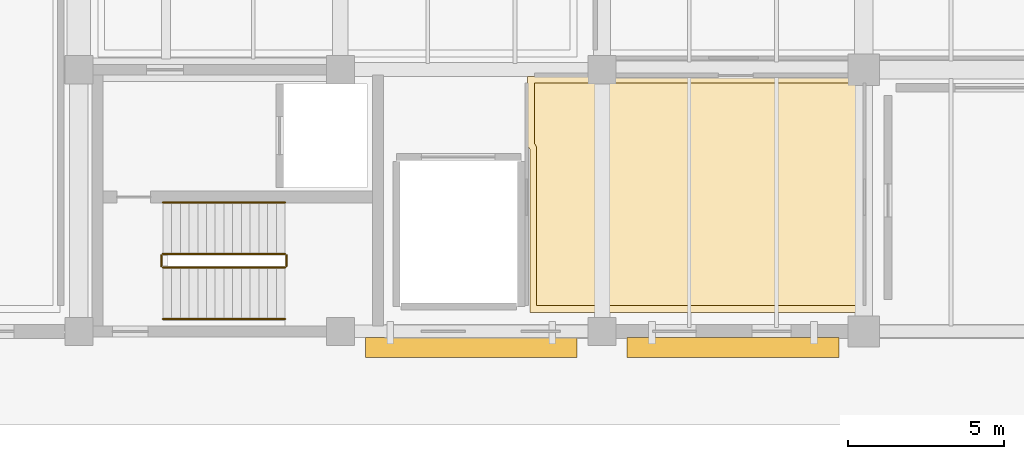
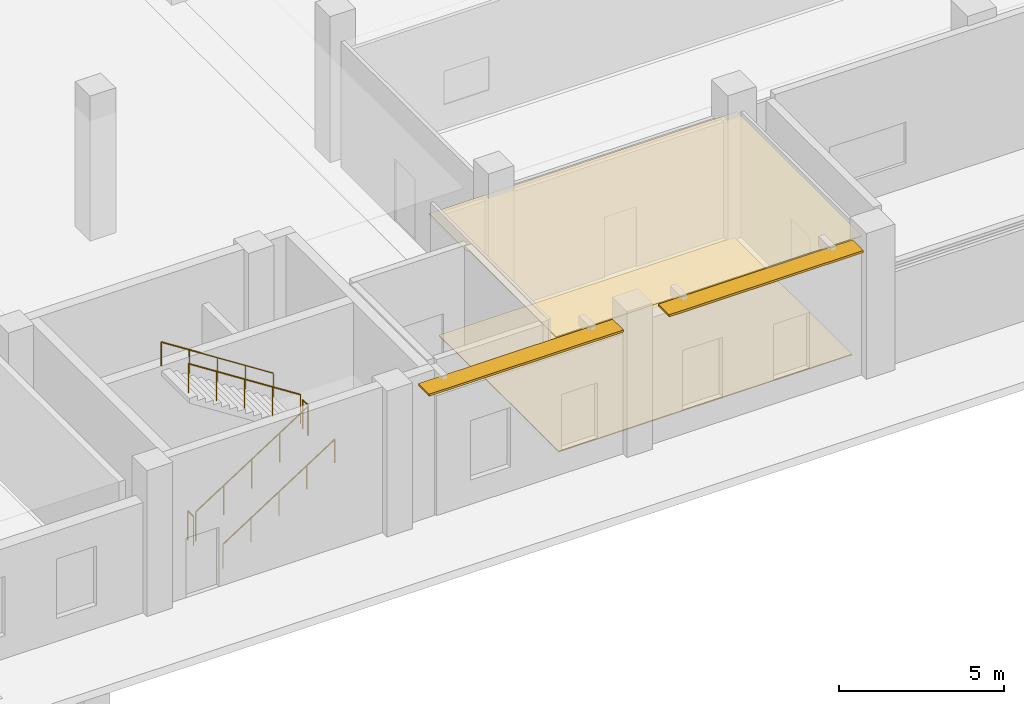
# One storey, part 61 of 65: 6 railings, 2 coverings, 2 shading devices.
"""IFC4 building model written with IfcOpenShell, lengths in metres."""

import ifcopenshell
import ifcopenshell.guid

model = None  # the IFC model being written
_history = None  # IfcOwnerHistory: only IFC2X3 demands one
_inside = {}  # id of a spatial element -> (the spatial element, [elements in it])
_under = {}  # id of a project, library or spatial element -> (it, [spatial elements below it])
_declared = {}  # id of a project -> (the project, [libraries it declares])
_typed = {}  # id of a type object -> (the type object, [elements of that type])
_made_of = {}  # id of a material, layer set ... -> (it, [elements and type objects made of it])


def new_model(schema):
    """Start an empty IFC model of exactly this schema.

    Asked for "IFC4X3", IfcOpenShell would pick the latest addendum, in which some entities
    have other attributes; the version numbers below select the first issue.
    IFC2X3 requires an IfcOwnerHistory on every rooted entity: one is made here for all.
    """
    global model, _history
    if schema == "IFC4X3":
        model = ifcopenshell.file(schema_version=(4, 3, 0, 0))
    else:
        model = ifcopenshell.file(schema=schema)
    _inside.clear()
    _under.clear()
    _declared.clear()
    _typed.clear()
    _made_of.clear()
    _history = None
    if model.schema == "IFC2X3":
        org = make("IfcOrganization", Name="unknown")
        user = make(
            "IfcPersonAndOrganization",
            ThePerson=make("IfcPerson", FamilyName="unknown"),
            TheOrganization=org,
        )
        app = make(
            "IfcApplication",
            ApplicationDeveloper=org,
            Version="unknown",
            ApplicationFullName="unknown",
            ApplicationIdentifier="unknown",
        )
        _history = make(
            "IfcOwnerHistory",
            OwningUser=user,
            OwningApplication=app,
            ChangeAction="ADDED",
            CreationDate=0,
        )
    return model


def make(cls, **values):
    """One entity of the class cls with the attributes given. An attribute that is None is left unset."""
    return model.create_entity(
        cls, **{name: value for name, value in values.items() if value is not None}
    )


def rooted(cls, **values):
    """An entity with a GlobalId (a new one), such as an element, a storey or a relation."""
    return make(cls, GlobalId=ifcopenshell.guid.new(), OwnerHistory=_history, **values)


def si_unit(unit_type, name, prefix=None):
    """IfcSIUnit, for example si_unit("LENGTHUNIT", "METRE", prefix="MILLI")."""
    return make("IfcSIUnit", UnitType=unit_type, Prefix=prefix, Name=name)


def assignment(units):
    """IfcUnitAssignment: the units of a project."""
    return None if units is None else make("IfcUnitAssignment", Units=units)


def point(xyz):
    """IfcCartesianPoint."""
    return None if xyz is None else make("IfcCartesianPoint", Coordinates=xyz)


def direction(xyz):
    """IfcDirection."""
    return None if xyz is None else make("IfcDirection", DirectionRatios=xyz)


def frame(location, z_axis=None, x_axis=None):
    """IfcAxis2Placement3D, a coordinate frame: its origin and axes. An axis left out is left unset."""
    return make(
        "IfcAxis2Placement3D",
        Location=point(location),
        Axis=direction(z_axis),
        RefDirection=direction(x_axis),
    )


def frame_2d(location, x_axis=None):
    """IfcAxis2Placement2D, a coordinate frame in the plane: its origin and x axis."""
    return make(
        "IfcAxis2Placement2D", Location=point(location), RefDirection=direction(x_axis)
    )


def origin():
    """The frame at (0, 0, 0) with its axes left unset."""
    return frame((0.0, 0.0, 0.0))


def origin_2d():
    """The frame at (0, 0) in the plane with its x axis left unset."""
    return frame_2d((0.0, 0.0))


def place(relative_to, where):
    """IfcLocalPlacement: puts the frame where relative to a parent placement (None: the world)."""
    return make(
        "IfcLocalPlacement", PlacementRelTo=relative_to, RelativePlacement=where
    )


def context(
    kind, dimensions, precision=None, world=None, true_north=None, identifier=None
):
    """IfcGeometricRepresentationContext, for example the 3D "Model" context."""
    return make(
        "IfcGeometricRepresentationContext",
        ContextIdentifier=identifier,
        ContextType=kind,
        CoordinateSpaceDimension=dimensions,
        Precision=precision,
        WorldCoordinateSystem=world,
        TrueNorth=true_north,
    )


def subcontext(parent, identifier, kind, view, scale=None):
    """IfcGeometricRepresentationSubContext, for example "Body" below "Model"."""
    return make(
        "IfcGeometricRepresentationSubContext",
        ContextIdentifier=identifier,
        ContextType=kind,
        ParentContext=parent,
        TargetScale=scale,
        TargetView=view,
    )


def project(units=None, contexts=None):
    """IfcProject with its units and contexts."""
    return rooted(
        "IfcProject",
        Name="project",
        RepresentationContexts=contexts,
        UnitsInContext=assignment(units),
    )


def spatial(cls, under=None, at=None, **own):
    """A site, building, storey or space (cls), placed at a placement, below another one or the project."""
    s = rooted(cls, ObjectPlacement=at, **own)
    if under is not None:
        _under.setdefault(under.id(), (under, []))[1].append(s)
    return s


def polyline(points):
    """IfcPolyline through the points."""
    return make("IfcPolyline", Points=[point(p) for p in points])


def profile(cls, at=None, kind="AREA", **sizes):
    """A parametric profile (cls). Its sizes go by their IFC names, for example OverallWidth=200.0."""
    return make(cls, ProfileType=kind, Position=at, **sizes)


def rectangle(**sizes):
    """IfcRectangleProfileDef."""
    return profile("IfcRectangleProfileDef", **sizes)


def circle(**sizes):
    """IfcCircleProfileDef."""
    return profile("IfcCircleProfileDef", **sizes)


def outline(outer, holes=None, kind="AREA"):
    """IfcArbitraryClosedProfileDef: a profile drawn as a closed curve; with holes, ...WithVoids."""
    if holes is None:
        return make("IfcArbitraryClosedProfileDef", ProfileType=kind, OuterCurve=outer)
    return make(
        "IfcArbitraryProfileDefWithVoids",
        ProfileType=kind,
        OuterCurve=outer,
        InnerCurves=holes,
    )


def extrude(swept, where, along, depth):
    """IfcExtrudedAreaSolid: the profile swept, set in the frame where, extruded along a direction by depth."""
    return make(
        "IfcExtrudedAreaSolid",
        SweptArea=swept,
        Position=where,
        ExtrudedDirection=direction(along),
        Depth=depth,
    )


def shape(context_of_items, identifier, shape_type, items):
    """IfcShapeRepresentation: the items that make up one representation, for example the "Body"."""
    return make(
        "IfcShapeRepresentation",
        ContextOfItems=context_of_items,
        RepresentationIdentifier=identifier,
        RepresentationType=shape_type,
        Items=items,
    )


def material(Name=None, Category=None):
    """IfcMaterial."""
    return make("IfcMaterial", Name=Name, Category=Category)


def layer(
    of_material, thickness, ventilated=None, Name=None, Category=None, Priority=None
):
    """IfcMaterialLayer: one layer of a wall or slab, of a material (None: an air gap)."""
    return make(
        "IfcMaterialLayer",
        Material=of_material,
        LayerThickness=thickness,
        IsVentilated=ventilated,
        Name=Name,
        Category=Category,
        Priority=Priority,
    )


def layer_set(layers, Name=None):
    """IfcMaterialLayerSet."""
    return make("IfcMaterialLayerSet", MaterialLayers=layers, LayerSetName=Name)


def made_of(thing, what):
    """Note that an element or type object is made of a material, layer set ...; save() writes the relation."""
    if what is not None:
        _made_of.setdefault(what.id(), (what, []))[1].append(thing)
    return thing


def type_object(cls, material=None, **own):
    """A type object (cls), such as IfcWallType, which elements share."""
    return made_of(rooted(cls, **own), material)


def element(
    cls,
    number,
    at=None,
    inside=None,
    cuts=None,
    type_object=None,
    material=None,
    context=None,
    identifier="Body",
    shape_type=None,
    held_by="IfcProductDefinitionShape",
    body=None,
    shapes=None,
    **own,
):
    """One element of the class cls, such as IfcWall. Its Tag is "e" and its number.

    at: its placement. inside: the storey or other place that contains it. cuts: it is an
    opening in that element (IfcRelVoidsElement). A single representation is given by context,
    identifier, shape_type and body (its items); several are given by shapes. held_by: the class
    of the entity that holds the representations. save() writes the other relations.
    """
    e = rooted(cls, Tag="e%d" % number, ObjectPlacement=at, **own)
    if body is not None:
        shapes = [shape(context, identifier, shape_type, body)]
    if shapes is not None:
        e.Representation = make(held_by, Representations=shapes)
    if inside is not None:
        _inside.setdefault(inside.id(), (inside, []))[1].append(e)
    if cuts is not None:
        rooted(
            "IfcRelVoidsElement", RelatingBuildingElement=cuts, RelatedOpeningElement=e
        )
    if type_object is not None:
        _typed.setdefault(type_object.id(), (type_object, []))[1].append(e)
    return made_of(e, material)


def aggregate(whole, parts):
    """IfcRelAggregates: a whole, such as a stair, and the parts it consists of."""
    return rooted("IfcRelAggregates", RelatingObject=whole, RelatedObjects=parts)


def save(model, path):
    """Write the relations noted so far, then the file.

    IfcRelAggregates (storeys below a building ...), IfcRelContainedInSpatialStructure (elements
    in a storey), IfcRelDefinesByType, IfcRelAssociatesMaterial and IfcRelDeclares: one each for
    every whole, place, type object, material and project.
    """
    for whole, parts in _under.values():
        aggregate(whole, parts)
    for where, things in _inside.values():
        rooted(
            "IfcRelContainedInSpatialStructure",
            RelatedElements=things,
            RelatingStructure=where,
        )
    for kind, things in _typed.values():
        rooted("IfcRelDefinesByType", RelatedObjects=things, RelatingType=kind)
    for what, things in _made_of.values():
        rooted("IfcRelAssociatesMaterial", RelatedObjects=things, RelatingMaterial=what)
    for by, libraries in _declared.values():
        rooted("IfcRelDeclares", RelatingContext=by, RelatedDefinitions=libraries)
    model.write(path)


model = new_model("IFC4")

# Units and contexts
model_context = context("Model", 3, precision=1e-05, world=origin(), true_north=direction((0.0, 1.0)))
body_context = subcontext(model_context, "Body", "Model", "MODEL_VIEW")
ifc_project = project(units=[si_unit("LENGTHUNIT", "METRE"), si_unit("AREAUNIT", "SQUARE_METRE"), si_unit("VOLUMEUNIT", "CUBIC_METRE"), si_unit("PLANEANGLEUNIT", "RADIAN"), si_unit("MASSUNIT", "GRAM", prefix="KILO")], contexts=[model_context])

# Site, building, storey
site_placement = place(None, origin())
site = spatial("IfcSite", under=ifc_project, at=site_placement, CompositionType="ELEMENT")
building_placement = place(site_placement, origin())
building = spatial("IfcBuilding", under=site, at=building_placement, Name="Zulmaris Art Gallery", CompositionType="ELEMENT")
storey_placement = place(building_placement, origin())
storey = spatial("IfcBuildingStorey", under=building, at=storey_placement, Name="L00", CompositionType="ELEMENT", Elevation=0.0)

# Coverings
ifc_material_1 = material(Name="Micro-Perforated Gypsum Acoustic Ceiling", Category="gypsum")
ifc_layer_1 = layer(ifc_material_1, 0.02490234375)
ifc_layer_set_1 = layer_set([ifc_layer_1], Name="Micro-Perforated Gypsum Acoustic Ceiling")
covering_type_1 = type_object("IfcCoveringType", Name="COV-CL01", PredefinedType="CEILING", material=ifc_layer_set_1)
covering_1_placement = place(storey_placement, frame((0.0, 0.0, 4.449951171875)))
element("IfcCovering", 1, at=covering_1_placement, inside=storey, type_object=covering_type_1, Name="Crate Acclimatisation & Isolation Room acoustic ceiling", PredefinedType="CEILING", context=body_context, shape_type="SweptSolid", body=[
    extrude(outline(polyline([(166.7900390625, 13.81005859375), (156.080078125, 13.81005859375), (156.080078125, 19.044677734375), (156.07958984375, 19.052978515625), (156.0791015625, 19.055908203125), (156.07861328125, 19.05859375), (156.077392578125, 19.061279296875), (156.076171875, 19.06396484375), (156.07470703125, 19.06640625), (156.072998046875, 19.06884765625), (156.010009765625, 19.138427734375), (156.010009765625, 21.389892578125), (166.7900390625, 21.389892578125), (166.7900390625, 13.81005859375)])), origin(), (0.0, 0.0, 1.0), 0.030029296875),
])
ifc_material_2 = material(Name="Honed Omani Limestone Terrazzo Flooring", Category="masonry")
ifc_layer_2 = layer(ifc_material_2, 0.0400390625)
ifc_layer_set_2 = layer_set([ifc_layer_2], Name="Honed Omani Limestone Terrazzo Flooring")
covering_type_2 = type_object("IfcCoveringType", Name="COV-FL01", PredefinedType="FLOORING", material=ifc_layer_set_2)
covering_2_placement = place(storey_placement, origin())
element("IfcCovering", 2, at=covering_2_placement, inside=storey, type_object=covering_type_2, Name="Crate Acclimatisation & Isolation Room finish flooring", PredefinedType="FLOORING", context=body_context, shape_type="SweptSolid", body=[
    extrude(outline(polyline([(156.22998046875, 21.169921875), (166.570068359375, 21.169921875), (166.570068359375, 14.030029296875), (156.300048828125, 14.030029296875), (156.300048828125, 19.050048828125), (156.298828125, 19.074462890625), (156.295166015625, 19.098876953125), (156.289306640625, 19.12255859375), (156.281005859375, 19.145751953125), (156.2705078125, 19.167724609375), (156.2578125, 19.18896484375), (156.243408203125, 19.20849609375), (156.22998046875, 19.22314453125), (156.22998046875, 21.169921875)])), origin(), (0.0, 0.0, 1.0), 0.034912109375),
])

# Railings
ifc_material_3 = material(Name="Steel S355J2", Category="steel")
ifc_layer_3 = layer(ifc_material_3, 0.050048828125)
ifc_layer_set_3 = layer_set([ifc_layer_3], Name="Steel S355J2")
railing_type_1 = type_object("IfcRailingType", Name="RAIL-STGRD", PredefinedType="GUARDRAIL", material=ifc_layer_set_3)
railing_1_placement = place(storey_placement, frame((144.300048828125, 15.25, 0.179931640625)))
element("IfcRailing", 3, at=railing_1_placement, inside=storey, type_object=railing_type_1, Name="L00 ST3 stair guard 1", PredefinedType="GUARDRAIL", context=body_context, shape_type="SweptSolid", body=[
    extrude(circle(Radius=0.02392578125, at=origin_2d()), frame((0.0, 0.0, 1.076171875), z_axis=(0.841171666519, 0.0, 0.540768182723), x_axis=(0.0, 1.0, 0.0)), (0.0, 0.0, 1.0), 4.66015625),
    extrude(circle(Radius=0.02099609375, at=origin_2d()), origin(), (0.0, 0.0, 1.0), 1.052001953125),
    extrude(circle(Radius=0.02099609375, at=origin_2d()), frame((0.97998046875, 0.0, 0.6298828125)), (0.0, 0.0, 1.0), 1.052001953125),
    extrude(circle(Radius=0.02099609375, at=origin_2d()), frame((1.9599609375, 0.0, 1.260009765625)), (0.0, 0.0, 1.0), 1.052001953125),
    extrude(circle(Radius=0.02099609375, at=origin_2d()), frame((2.93994140625, 0.0, 1.89013671875)), (0.0, 0.0, 1.0), 1.052001953125),
    extrude(circle(Radius=0.02099609375, at=origin_2d()), frame((3.919921875, 0.0, 2.52001953125)), (0.0, 0.0, 1.0), 1.052001953125),
])
railing_2_placement = place(storey_placement, frame((148.27001953125, 15.300048828125, 2.699951171875)))
element("IfcRailing", 4, at=railing_2_placement, inside=storey, type_object=railing_type_1, Name="L00 ST3 stair guard 2", PredefinedType="GUARDRAIL", context=body_context, shape_type="SweptSolid", body=[
    extrude(circle(Radius=0.02392578125, at=origin_2d()), frame((0.0, 0.0, 1.076171875), z_axis=(0.0, 1.0, 0.0), x_axis=(-1.0, 0.0, 0.0)), (0.0, 0.0, 1.0), 0.33984375),
    extrude(circle(Radius=0.02099609375, at=origin_2d()), origin(), (0.0, 0.0, 1.0), 1.052001953125),
    extrude(circle(Radius=0.02099609375, at=origin_2d()), frame((0.0, 0.33984375, 0.0)), (0.0, 0.0, 1.0), 1.052001953125),
])
railing_3_placement = place(storey_placement, frame((148.219970703125, 15.68994140625, 2.8798828125)))
element("IfcRailing", 5, at=railing_3_placement, inside=storey, type_object=railing_type_1, Name="L00 ST3 stair guard 3", PredefinedType="GUARDRAIL", context=body_context, shape_type="SweptSolid", body=[
    extrude(circle(Radius=0.02392578125, at=origin_2d()), frame((0.0, 0.0, 1.076171875), z_axis=(-0.841171666519, 0.0, 0.540768182723), x_axis=(0.0, -1.0, 0.0)), (0.0, 0.0, 1.0), 4.66015625),
    extrude(circle(Radius=0.02099609375, at=origin_2d()), origin(), (0.0, 0.0, 1.0), 1.052001953125),
    extrude(circle(Radius=0.02099609375, at=origin_2d()), frame((-0.97998046875, 0.0, 0.6298828125)), (0.0, 0.0, 1.0), 1.052001953125),
    extrude(circle(Radius=0.02099609375, at=origin_2d()), frame((-1.9599609375, 0.0, 1.260009765625)), (0.0, 0.0, 1.0), 1.052001953125),
    extrude(circle(Radius=0.02099609375, at=origin_2d()), frame((-2.93994140625, 0.0, 1.89013671875)), (0.0, 0.0, 1.0), 1.052001953125),
    extrude(circle(Radius=0.02099609375, at=origin_2d()), frame((-3.919921875, 0.0, 2.52001953125)), (0.0, 0.0, 1.0), 1.052001953125),
])
railing_4_placement = place(storey_placement, frame((144.25, 15.300048828125, 0.0)))
element("IfcRailing", 6, at=railing_4_placement, inside=storey, type_object=railing_type_1, Name="L00 ST3 stair guard 4", PredefinedType="GUARDRAIL", context=body_context, shape_type="SweptSolid", body=[
    extrude(circle(Radius=0.02392578125, at=origin_2d()), frame((0.0, 0.0, 1.076171875), z_axis=(0.0, 1.0, 0.0), x_axis=(-1.0, 0.0, 0.0)), (0.0, 0.0, 1.0), 0.33984375),
    extrude(circle(Radius=0.02099609375, at=origin_2d()), origin(), (0.0, 0.0, 1.0), 1.052001953125),
    extrude(circle(Radius=0.02099609375, at=origin_2d()), frame((0.0, 0.33984375, 0.0)), (0.0, 0.0, 1.0), 1.052001953125),
])
ifc_material_4 = material(Name="Brushed Bronze Handrail", Category="steel")
ifc_layer_4 = layer(ifc_material_4, 0.048095703125)
ifc_layer_set_4 = layer_set([ifc_layer_4], Name="Brushed Bronze Handrail")
railing_type_2 = type_object("IfcRailingType", Name="RAIL-STHND", PredefinedType="HANDRAIL", material=ifc_layer_set_4)
railing_5_placement = place(storey_placement, frame((144.300048828125, 13.60009765625, 0.179931640625)))
element("IfcRailing", 7, at=railing_5_placement, inside=storey, type_object=railing_type_2, Name="L00 ST3 stair handrail 1", PredefinedType="HANDRAIL", context=body_context, shape_type="SweptSolid", body=[
    extrude(circle(Radius=0.02392578125, at=origin_2d()), frame((0.0, 0.0, 0.8759765625), z_axis=(0.841171666519, 0.0, 0.540768182723), x_axis=(0.0, 1.0, 0.0)), (0.0, 0.0, 1.0), 4.66015625),
    extrude(circle(Radius=0.02099609375, at=origin_2d()), origin(), (0.0, 0.0, 1.0), 0.851806640625),
    extrude(circle(Radius=0.02099609375, at=origin_2d()), frame((0.97998046875, 0.0, 0.6298828125)), (0.0, 0.0, 1.0), 0.851806640625),
    extrude(circle(Radius=0.02099609375, at=origin_2d()), frame((1.9599609375, 0.0, 1.260009765625)), (0.0, 0.0, 1.0), 0.851806640625),
    extrude(circle(Radius=0.02099609375, at=origin_2d()), frame((2.93994140625, 0.0, 1.89013671875)), (0.0, 0.0, 1.0), 0.851806640625),
    extrude(circle(Radius=0.02099609375, at=origin_2d()), frame((3.919921875, 0.0, 2.52001953125)), (0.0, 0.0, 1.0), 0.851806640625),
])
railing_6_placement = place(storey_placement, frame((148.219970703125, 17.340087890625, 2.8798828125)))
element("IfcRailing", 8, at=railing_6_placement, inside=storey, type_object=railing_type_2, Name="L00 ST3 stair handrail 2", PredefinedType="HANDRAIL", context=body_context, shape_type="SweptSolid", body=[
    extrude(circle(Radius=0.02392578125, at=origin_2d()), frame((0.0, 0.0, 0.8759765625), z_axis=(-0.841171666519, 0.0, 0.540768182723), x_axis=(0.0, -1.0, 0.0)), (0.0, 0.0, 1.0), 4.66015625),
    extrude(circle(Radius=0.02099609375, at=origin_2d()), origin(), (0.0, 0.0, 1.0), 0.851806640625),
    extrude(circle(Radius=0.02099609375, at=origin_2d()), frame((-0.97998046875, 0.0, 0.6298828125)), (0.0, 0.0, 1.0), 0.851806640625),
    extrude(circle(Radius=0.02099609375, at=origin_2d()), frame((-1.9599609375, 0.0, 1.260009765625)), (0.0, 0.0, 1.0), 0.851806640625),
    extrude(circle(Radius=0.02099609375, at=origin_2d()), frame((-2.93994140625, 0.0, 1.89013671875)), (0.0, 0.0, 1.0), 0.851806640625),
    extrude(circle(Radius=0.02099609375, at=origin_2d()), frame((-3.919921875, 0.0, 2.52001953125)), (0.0, 0.0, 1.0), 0.851806640625),
])

# Shading devices
ifc_material_5 = material(Name="Anodised Bronze Sunshade Louvre", Category="aluminium")
ifc_layer_5 = layer(ifc_material_5, 0.080078125)
ifc_layer_set_5 = layer_set([ifc_layer_5], Name="Anodised Bronze Sunshade Louvre")
shading_device_type = type_object("IfcShadingDeviceType", Name="SHD-03", PredefinedType="JALOUSIE", material=ifc_layer_set_5)
for number, where, z_axis, x_axis, name in (
    (9, (154.199951171875, 12.679931640625, 5.010009765625), (0.0, 0.0, 1.0), (1.0, 0.0, 0.0), "L00 South facade bronze solar louvre 1"),
    (10, (162.60009765625, 12.679931640625, 5.010009765625), (0.0, 0.0, 1.0), (1.0, 0.0, 0.0), "L00 South facade bronze solar louvre 2"),
):
    element("IfcShadingDevice", number, at=place(storey_placement, frame(where, z_axis=z_axis, x_axis=x_axis)), inside=storey, type_object=shading_device_type, Name=name, PredefinedType="JALOUSIE", context=body_context, shape_type="SweptSolid", body=[
        extrude(rectangle(XDim=6.800048828125, YDim=0.64990234375, at=origin_2d()), origin(), (0.0, 0.0, 1.0), 0.080078125),
    ])

save(model, "model.ifc")
